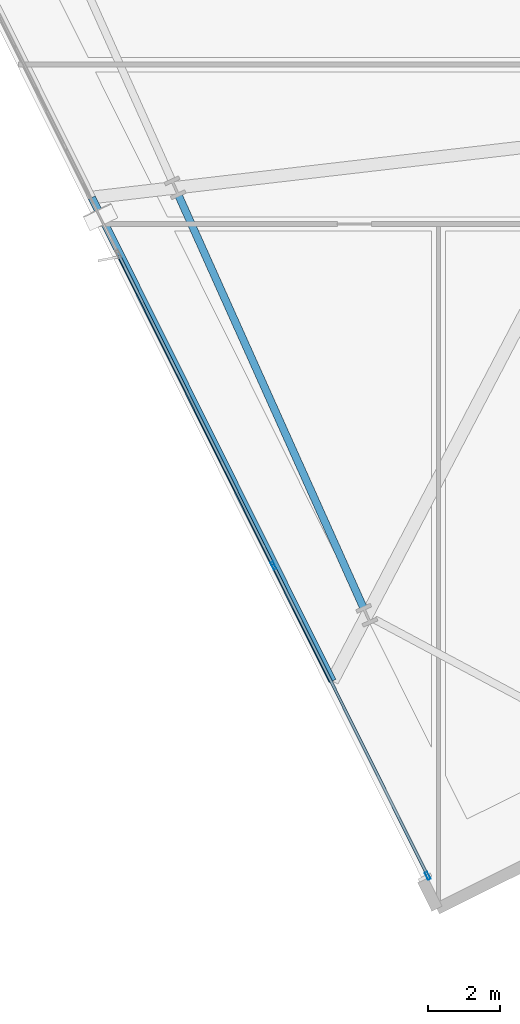
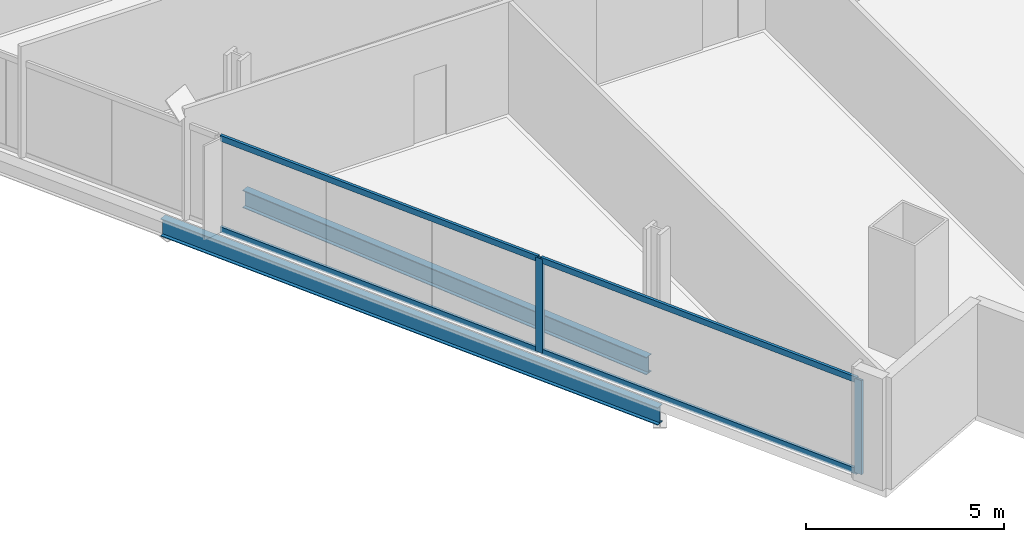
# One storey, part 2 of 35: 6 members, 2 beams, 1 element without a shape of its own.
"""IFC4 building model written with IfcOpenShell, lengths in metres."""

from ifc_helpers import new_model, si_unit, direction, frame, origin, origin_2d, place, context, subcontext, project, spatial, hollow_rectangle, i_section, extrude, material, material_profile, profile_set, type_object, element, aggregate, save


model = new_model("IFC4")

# Units and contexts
model_context = context("Model", 3, precision=1e-05, world=origin(), true_north=direction((0.0, 1.0)))
body_context = subcontext(model_context, "Body", "Model", "MODEL_VIEW")
ifc_project = project(units=[si_unit("LENGTHUNIT", "METRE"), si_unit("AREAUNIT", "SQUARE_METRE"), si_unit("VOLUMEUNIT", "CUBIC_METRE"), si_unit("PLANEANGLEUNIT", "RADIAN"), si_unit("MASSUNIT", "GRAM", prefix="KILO")], contexts=[model_context])

# Site, building, storey
site_placement = place(None, origin())
site = spatial("IfcSite", under=ifc_project, at=site_placement, CompositionType="ELEMENT")
building_placement = place(site_placement, origin())
building = spatial("IfcBuilding", under=site, at=building_placement, Name="Haldenkirk Collegiate Tower", CompositionType="ELEMENT")
storey_placement = place(building_placement, frame((0.0, 0.0, 116.699951171875)))
storey = spatial("IfcBuildingStorey", under=building, at=storey_placement, Name="L28", CompositionType="ELEMENT", Elevation=116.699951171875)

# Beams
ifc_material_1 = material(Name="Steel ASTM A992 Grade 50", Category="steel")
ifc_material_profile_1 = material_profile(ifc_material_1, i_section(OverallWidth=0.2119140625, OverallDepth=0.5439453125, WebThickness=0.01318359375, FlangeThickness=0.021240234375, at=origin_2d()), Name="W21X83")
ifc_profile_set_1 = profile_set([ifc_material_profile_1], Name="Steel ASTM A992 Grade 50")
beam_type = type_object("IfcBeamType", Name="BM-SPANDREL-W21X83", PredefinedType="SPANDREL", material=ifc_profile_set_1)
beam_1_placement = place(storey_placement, frame((14.742919921875, 16.3369140625, -0.572021484375), z_axis=(0.409131045523, -0.91247563671, 0.0), x_axis=(0.91247563671, 0.409131045523, 0.0)))
element("IfcBeam", 1, at=beam_1_placement, inside=storey, type_object=beam_type, Name="L28 perimeter spandrel beam 15", PredefinedType="SPANDREL", context=body_context, shape_type="SweptSolid", body=[
    extrude(i_section(OverallWidth=0.2119140625, OverallDepth=0.5439453125, WebThickness=0.01318359375, FlangeThickness=0.021240234375, at=origin_2d()), origin(), (0.0, 0.0, 1.0), 12.593994140625),
])
beam_2_placement = place(storey_placement, frame((12.31591796875, 16.2900390625, -0.572021484375), z_axis=(0.445406391413, -0.895328513166, 0.0), x_axis=(0.895328513166, 0.445406391413, 0.0)))
element("IfcBeam", 2, at=beam_2_placement, inside=storey, type_object=beam_type, Name="L28 outer facade edge beam 4B", PredefinedType="SPANDREL", context=body_context, shape_type="SweptSolid", body=[
    extrude(i_section(OverallWidth=0.2119140625, OverallDepth=0.5439453125, WebThickness=0.01318359375, FlangeThickness=0.021240234375, at=origin_2d()), origin(), (0.0, 0.0, 1.0), 15.083984375),
])

# Curtain wall, members
ifc_material_2 = material(Name="Anodised architectural bronze aluminium", Category="aluminium")
curtain_wall_type = type_object("IfcCurtainWallType", Name="CW-SYS1-CONVEX-LOW", PredefinedType="USERDEFINED", material=ifc_material_2)
curtain_wall_placement = place(storey_placement, origin())
curtain_wall = element("IfcCurtainWall", 3, at=curtain_wall_placement, inside=storey, type_object=curtain_wall_type, Name="L28 Lower tower convex bronze-framed unitised curtain wall", ObjectType="UNITISED CURTAIN WALL", PredefinedType="USERDEFINED")
ifc_material_profile_2 = material_profile(ifc_material_2, hollow_rectangle(XDim=0.080078125, YDim=0.219970703125, WallThickness=0.0048828125, at=origin_2d()), Name="CW-MUL-1A")
ifc_profile_set_2 = profile_set([ifc_material_profile_2], Name="Anodised architectural bronze aluminium")
member_type_1 = type_object("IfcMemberType", Name="CW-MUL-1A", PredefinedType="MULLION", material=ifc_profile_set_2)
member_1_placement = place(storey_placement, frame((21.696533203125, -2.655517578125, 0.0), z_axis=(0.0, 0.0, 1.0), x_axis=(-0.895324163521, -0.445415134696, 0.0)))
member_1 = element("IfcMember", 4, at=member_1_placement, type_object=member_type_1, Name="CW-1A mullion 1", PredefinedType="MULLION", context=body_context, shape_type="SweptSolid", body=[
    extrude(hollow_rectangle(XDim=0.080078125, YDim=0.219970703125, WallThickness=0.0048828125, at=origin_2d()), origin(), (0.0, 0.0, 1.0), 2.901123046875),
])
member_2_placement = place(storey_placement, frame((17.385498046875, 6.010009765625, 0.0), z_axis=(0.0, 0.0, 1.0), x_axis=(-0.895324163521, -0.445415134696, 0.0)))
member_2 = element("IfcMember", 5, at=member_2_placement, type_object=member_type_1, Name="CW-1A mullion 2", PredefinedType="MULLION", context=body_context, shape_type="SweptSolid", body=[
    extrude(hollow_rectangle(XDim=0.080078125, YDim=0.219970703125, WallThickness=0.0048828125, at=origin_2d()), origin(), (0.0, 0.0, 1.0), 2.901123046875),
])
ifc_material_profile_3 = material_profile(ifc_material_2, hollow_rectangle(XDim=0.080078125, YDim=0.179931640625, WallThickness=0.0048828125, at=origin_2d()), Name="CW-TRN-1A")
ifc_profile_set_3 = profile_set([ifc_material_profile_3], Name="Anodised architectural bronze aluminium")
member_type_2 = type_object("IfcMemberType", Name="CW-TRN-1A", PredefinedType="USERDEFINED", material=ifc_profile_set_3)
member_3_placement = place(storey_placement, frame((21.6787109375, -2.619873046875, 0.0400390625), z_axis=(-0.445411914583, 0.895325765488, 0.0), x_axis=(-0.895325765488, -0.445411914583, 0.0)))
member_3 = element("IfcMember", 6, at=member_3_placement, type_object=member_type_2, Name="CW-1A transom 1.1", ObjectType="TRANSOM", PredefinedType="USERDEFINED", context=body_context, shape_type="SweptSolid", body=[
    extrude(hollow_rectangle(XDim=0.080078125, YDim=0.179931640625, WallThickness=0.0048828125, at=origin_2d()), origin(), (0.0, 0.0, 1.0), 9.5986328125),
])
member_4_placement = place(storey_placement, frame((21.6787109375, -2.619873046875, 2.861083984375), z_axis=(-0.445411914583, 0.895325765488, 0.0), x_axis=(-0.895325765488, -0.445411914583, 0.0)))
member_4 = element("IfcMember", 7, at=member_4_placement, type_object=member_type_2, Name="CW-1A transom 1.2", ObjectType="TRANSOM", PredefinedType="USERDEFINED", context=body_context, shape_type="SweptSolid", body=[
    extrude(hollow_rectangle(XDim=0.080078125, YDim=0.179931640625, WallThickness=0.0048828125, at=origin_2d()), origin(), (0.0, 0.0, 1.0), 9.5986328125),
])
member_5_placement = place(storey_placement, frame((17.36767578125, 6.0458984375, 0.0400390625), z_axis=(-0.445419367549, 0.895322057705, 0.0), x_axis=(-0.895322057705, -0.445419367549, 0.0)))
member_5 = element("IfcMember", 8, at=member_5_placement, type_object=member_type_2, Name="CW-1A transom 2.1", ObjectType="TRANSOM", PredefinedType="USERDEFINED", context=body_context, shape_type="SweptSolid", body=[
    extrude(hollow_rectangle(XDim=0.080078125, YDim=0.179931640625, WallThickness=0.0048828125, at=origin_2d()), origin(), (0.0, 0.0, 1.0), 9.638671875),
])
member_6_placement = place(storey_placement, frame((17.36767578125, 6.0458984375, 2.861083984375), z_axis=(-0.445419367549, 0.895322057705, 0.0), x_axis=(-0.895322057705, -0.445419367549, 0.0)))
member_6 = element("IfcMember", 9, at=member_6_placement, type_object=member_type_2, Name="CW-1A transom 2.2", ObjectType="TRANSOM", PredefinedType="USERDEFINED", context=body_context, shape_type="SweptSolid", body=[
    extrude(hollow_rectangle(XDim=0.080078125, YDim=0.179931640625, WallThickness=0.0048828125, at=origin_2d()), origin(), (0.0, 0.0, 1.0), 9.638671875),
])
aggregate(curtain_wall, [member_1, member_2, member_3, member_4, member_5, member_6])

save(model, "model.ifc")
